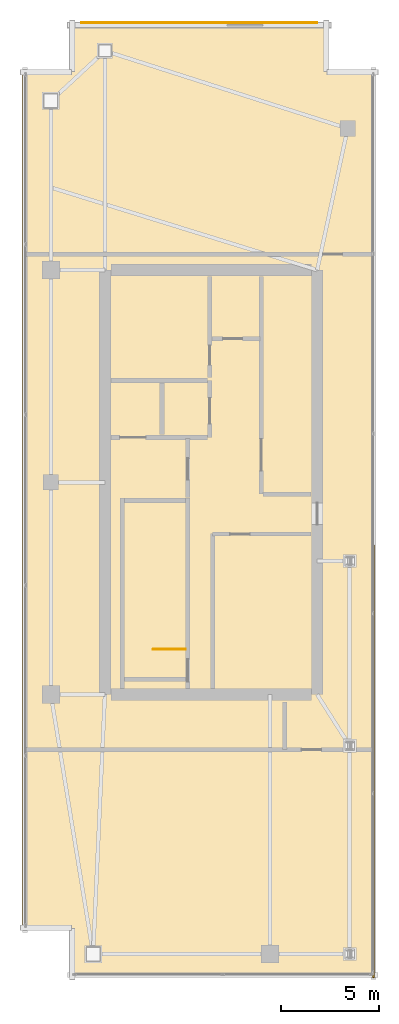
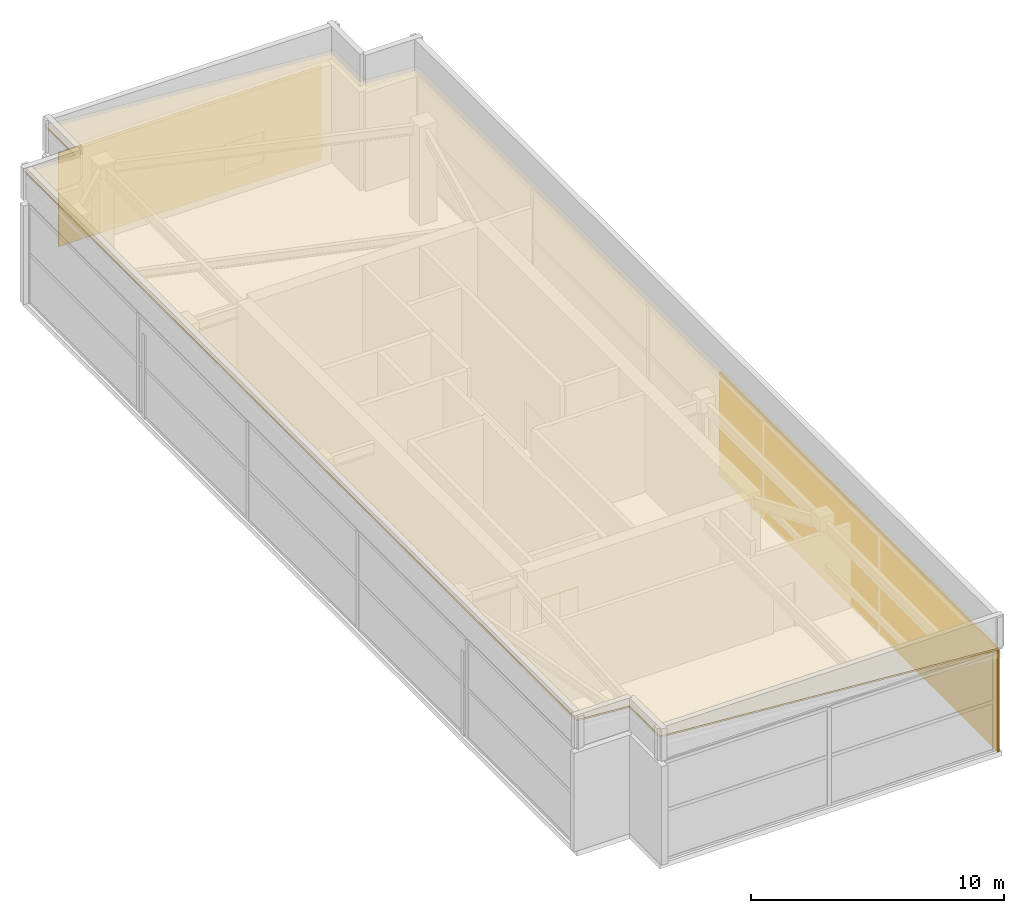
# One storey, part 20 of 20: 3 coverings, 1 railing.
"""IFC4 building model written with IfcOpenShell, lengths in metres."""

from ifc_helpers import new_model, si_unit, direction, frame, origin, origin_2d, place, context, subcontext, project, spatial, polyline, rectangle, circle, outline, extrude, material, layer, layer_set, type_object, element, save


model = new_model("IFC4")

# Units and contexts
model_context = context("Model", 3, precision=1e-05, world=origin(), true_north=direction((0.0, 1.0)))
body_context = subcontext(model_context, "Body", "Model", "MODEL_VIEW")
ifc_project = project(units=[si_unit("LENGTHUNIT", "METRE"), si_unit("AREAUNIT", "SQUARE_METRE"), si_unit("VOLUMEUNIT", "CUBIC_METRE"), si_unit("PLANEANGLEUNIT", "RADIAN"), si_unit("MASSUNIT", "GRAM", prefix="KILO")], contexts=[model_context])

# Site, building, storey
site_placement = place(None, origin())
site = spatial("IfcSite", under=ifc_project, at=site_placement, CompositionType="ELEMENT")
building_placement = place(site_placement, origin())
building = spatial("IfcBuilding", under=site, at=building_placement, Name="Calvorn Quay Hotel", CompositionType="ELEMENT")
storey_placement = place(building_placement, frame((0.0, 0.0, 345.5)))
storey = spatial("IfcBuildingStorey", under=building, at=storey_placement, Name="L84", CompositionType="ELEMENT", Elevation=345.5)

# Coverings
ifc_material_1 = material(Name="Pale Anodised Aluminium Rainscreen Cladding", Category="aluminium")
ifc_layer_1 = layer(ifc_material_1, 0.044921875)
ifc_layer_set_1 = layer_set([ifc_layer_1], Name="COV-CROWN-CLAD")
covering_type_1 = type_object("IfcCoveringType", Name="COV-CROWN-CLAD", PredefinedType="CLADDING", material=ifc_layer_set_1)
covering_1_placement = place(storey_placement, frame((9.0, 50.97998046875, 0.10009765625), z_axis=(0.0, 0.0, 1.0), x_axis=(1.0, 0.0, 0.0)))
element("IfcCovering", 1, at=covering_1_placement, inside=storey, type_object=covering_type_1, Name="Crown Pale-Metal Cladding (L84)", PredefinedType="CLADDING", context=body_context, shape_type="SweptSolid", body=[
    extrude(rectangle(XDim=12.0, YDim=0.044921875, at=origin_2d()), origin(), (0.0, 0.0, 1.0), 4.550048828125),
])
ifc_material_2 = material(Name="Insulated Elastomeric Waterproof Roofing")
ifc_layer_2 = layer(ifc_material_2, 0.080078125)
ifc_layer_set_2 = layer_set([ifc_layer_2], Name="COV-ROOF-MEMBRANE")
covering_type_2 = type_object("IfcCoveringType", Name="COV-ROOF-MEMBRANE", PredefinedType="ROOFING", material=ifc_layer_set_2)
covering_2_placement = place(storey_placement, frame((17.89990234375, 2.39990234375, 5.0), z_axis=(1.0, 0.0, 0.0), x_axis=(0.0, 0.0, -1.0)))
element("IfcCovering", 2, at=covering_2_placement, inside=storey, type_object=covering_type_2, Name="Slanted-Cut Crown Roof Cladding L84", PredefinedType="ROOFING", context=body_context, shape_type="SweptSolid", body=[
    extrude(outline(polyline([(0.0, 0.0), (5.0, 0.0), (5.0, 22.0), (0.0, 22.0), (0.0, 0.0)])), origin(), (0.0, 0.0, -1.0), 0.080078125),
])
covering_3_placement = place(storey_placement, frame((0.0, 4.800048828125, 6.35009765625), z_axis=(0.07479458956, 4.34386e-07, 0.997198961779), x_axis=(0.997198961779, 3.1e-11, -0.07479458956)))
element("IfcCovering", 3, at=covering_3_placement, inside=storey, type_object=covering_type_2, Name="Crown Apex Waterproof Roofing", PredefinedType="ROOFING", context=body_context, shape_type="SweptSolid", body=[
    extrude(outline(polyline([(0.0, 0.0), (2.4066562991650557, 0.0), (2.406656299090807, -2.400146484374774), (18.050561312007794, -2.4001464849273613), (18.050561313436997, 43.80004882756828), (15.643923274669785, 43.80004882767404), (15.643923274744026, 46.19995117142381), (2.4066563005942525, 46.199951171870644), (2.4066563005200114, 43.80004882812087), (1.3549558084583427e-09, 43.80004882812087), (0.0, 0.0)])), origin(), (0.0, 0.0, -1.0), 0.080078125),
])

# Railing
ifc_material_3 = material(Name="Painted Galvanised Steel Balustrade", Category="steel")
railing_type = type_object("IfcRailingType", Name="RLG-STAIR-GUARD-1120", PredefinedType="GUARDRAIL", material=ifc_material_3)
railing_placement = place(storey_placement, frame((8.300048828125, 19.10009765625, 0.0)))
element("IfcRailing", 4, at=railing_placement, inside=storey, type_object=railing_type, Name="L84 ST-W top well guard 1", PredefinedType="GUARDRAIL", context=body_context, shape_type="SweptSolid", body=[
    extrude(circle(Radius=0.02392578125, at=origin_2d()), frame((0.0, 0.0, 1.17578125), z_axis=(-1.0, 0.0, 0.0), x_axis=(0.0, -1.0, 0.0)), (0.0, 0.0, 1.0), 1.650146484375),
    extrude(circle(Radius=0.02099609375, at=origin_2d()), origin(), (0.0, 0.0, 1.0), 1.15185546875),
    extrude(circle(Radius=0.02099609375, at=origin_2d()), frame((-0.8251953125, 0.0, 0.0)), (0.0, 0.0, 1.0), 1.15185546875),
    extrude(circle(Radius=0.02099609375, at=origin_2d()), frame((-1.650146484375, 0.0, 0.0)), (0.0, 0.0, 1.0), 1.15185546875),
])

save(model, "model.ifc")
